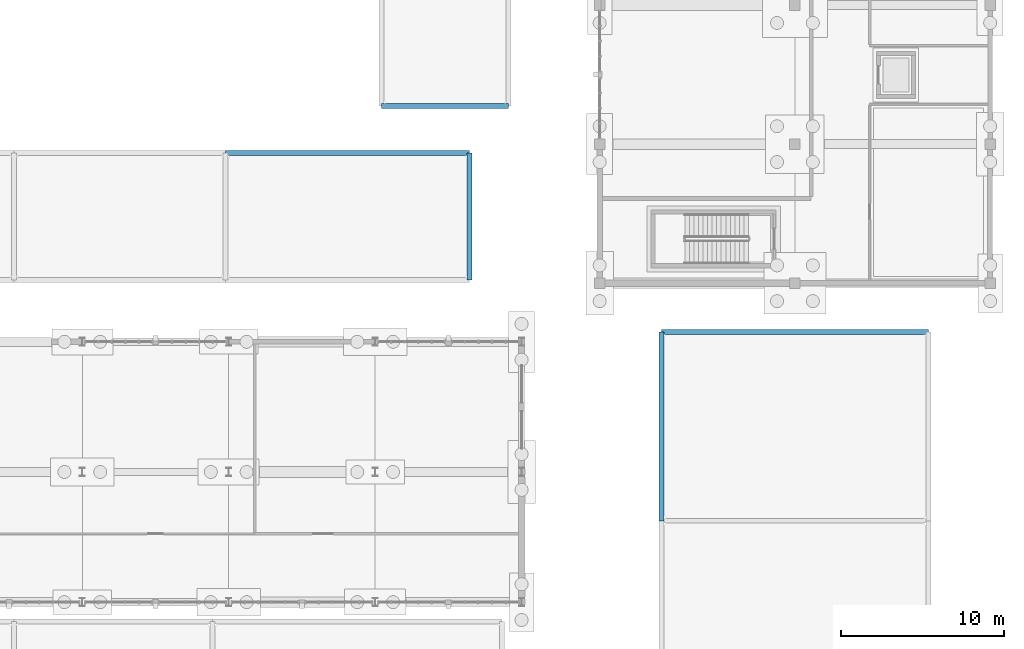
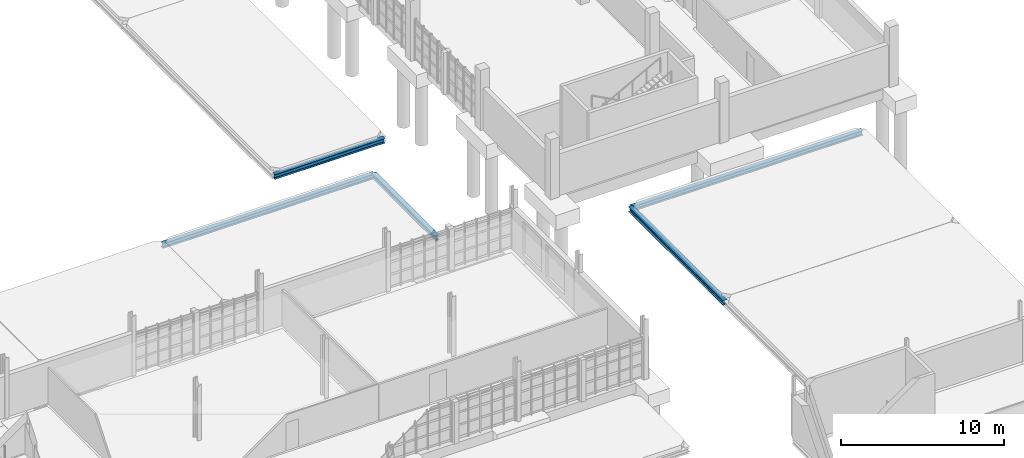
# One storey, part 42 of 125: 5 beams.
"""IFC4 building model written with IfcOpenShell, lengths in metres."""

from ifc_helpers import new_model, si_unit, direction, frame, origin, origin_2d, place, context, subcontext, project, spatial, i_section, extrude, material, material_profile, profile_set, type_object, element, save


model = new_model("IFC4")

# Units and contexts
model_context = context("Model", 3, precision=1e-05, world=origin(), true_north=direction((0.0, 1.0)))
body_context = subcontext(model_context, "Body", "Model", "MODEL_VIEW")
ifc_project = project(units=[si_unit("LENGTHUNIT", "METRE"), si_unit("AREAUNIT", "SQUARE_METRE"), si_unit("VOLUMEUNIT", "CUBIC_METRE"), si_unit("PLANEANGLEUNIT", "RADIAN"), si_unit("MASSUNIT", "GRAM", prefix="KILO")], contexts=[model_context])

# Site, building, storey
site_placement = place(None, origin())
site = spatial("IfcSite", under=ifc_project, at=site_placement, CompositionType="ELEMENT")
building_placement = place(site_placement, origin())
building = spatial("IfcBuilding", under=site, at=building_placement, Name="Serraforn Aerial Cableway Station", CompositionType="ELEMENT")
storey_placement = place(building_placement, frame((0.0, 0.0, 4.5)))
storey = spatial("IfcBuildingStorey", under=building, at=storey_placement, Name="L01", CompositionType="ELEMENT", Elevation=4.5)

# Beams
ifc_material = material(Name="Steel S355JR", Category="steel")
ifc_material_profile = material_profile(ifc_material, i_section(OverallWidth=0.300048828125, OverallDepth=0.360107421875, WebThickness=0.010009765625, FlangeThickness=0.017578125, FilletRadius=0.027099609375, at=origin_2d()), Name="HEA 360")
ifc_profile_set = profile_set([ifc_material_profile], Name="Steel S355JR")
beam_type = type_object("IfcBeamType", Name="BM-ST-HEA360", PredefinedType="BEAM", material=ifc_profile_set)
beam_1_placement = place(storey_placement, frame((130.60009765625, 56.5, -0.425048828125), z_axis=(1.0, 0.0, 0.0), x_axis=(0.0, 1.0, 0.0)))
element("IfcBeam", 1, at=beam_1_placement, inside=storey, type_object=beam_type, Name="Colonnade Spandrel Beam EX-1-1", PredefinedType="BEAM", context=body_context, shape_type="SweptSolid", body=[
    extrude(i_section(OverallWidth=0.300048828125, OverallDepth=0.360107421875, WebThickness=0.010009765625, FlangeThickness=0.017578125, FilletRadius=0.027099609375, at=origin_2d()), origin(), (0.0, 0.0, 1.0), 7.7998046875),
])
beam_2_placement = place(storey_placement, frame((147.800048828125, 42.60009765625, -0.445068359375), z_axis=(1.0, 0.0, 0.0), x_axis=(0.0, 1.0, 0.0)))
element("IfcBeam", 2, at=beam_2_placement, inside=storey, type_object=beam_type, Name="Colonnade Spandrel Beam EFX-1-3", PredefinedType="BEAM", context=body_context, shape_type="SweptSolid", body=[
    extrude(i_section(OverallWidth=0.300048828125, OverallDepth=0.360107421875, WebThickness=0.010009765625, FlangeThickness=0.017578125, FilletRadius=0.027099609375, at=origin_2d()), origin(), (0.0, 0.0, 1.0), 16.39990234375),
])
beam_3_placement = place(storey_placement, frame((147.800048828125, 31.0, -0.445068359375), z_axis=(0.0, 1.0, 0.0), x_axis=(-1.0, 0.0, 0.0)))
element("IfcBeam", 3, at=beam_3_placement, inside=storey, type_object=beam_type, Name="Colonnade Cross Beam EFY-1-2", PredefinedType="BEAM", context=body_context, shape_type="SweptSolid", body=[
    extrude(i_section(OverallWidth=0.300048828125, OverallDepth=0.360107421875, WebThickness=0.010009765625, FlangeThickness=0.017578125, FilletRadius=0.027099609375, at=origin_2d()), origin(), (0.0, 0.0, 1.0), 11.60009765625),
])
beam_4_placement = place(storey_placement, frame((121.0, 53.60009765625, -0.47998046875), z_axis=(1.0, 0.0, 0.0), x_axis=(0.0, 1.0, 0.0)))
element("IfcBeam", 4, at=beam_4_placement, inside=storey, type_object=beam_type, Name="Colonnade Spandrel Beam NPX-3-2", PredefinedType="BEAM", context=body_context, shape_type="SweptSolid", body=[
    extrude(i_section(OverallWidth=0.300048828125, OverallDepth=0.360107421875, WebThickness=0.010009765625, FlangeThickness=0.017578125, FilletRadius=0.027099609375, at=origin_2d()), origin(), (0.0, 0.0, 1.0), 15.0),
])
beam_5_placement = place(storey_placement, frame((136.0, 45.800048828125, -0.47998046875), z_axis=(0.0, 1.0, 0.0), x_axis=(-1.0, 0.0, 0.0)))
element("IfcBeam", 5, at=beam_5_placement, inside=storey, type_object=beam_type, Name="Colonnade Cross Beam NPY-4-1", PredefinedType="BEAM", context=body_context, shape_type="SweptSolid", body=[
    extrude(i_section(OverallWidth=0.300048828125, OverallDepth=0.360107421875, WebThickness=0.010009765625, FlangeThickness=0.017578125, FilletRadius=0.027099609375, at=origin_2d()), origin(), (0.0, 0.0, 1.0), 7.800048828125),
])

save(model, "model.ifc")
